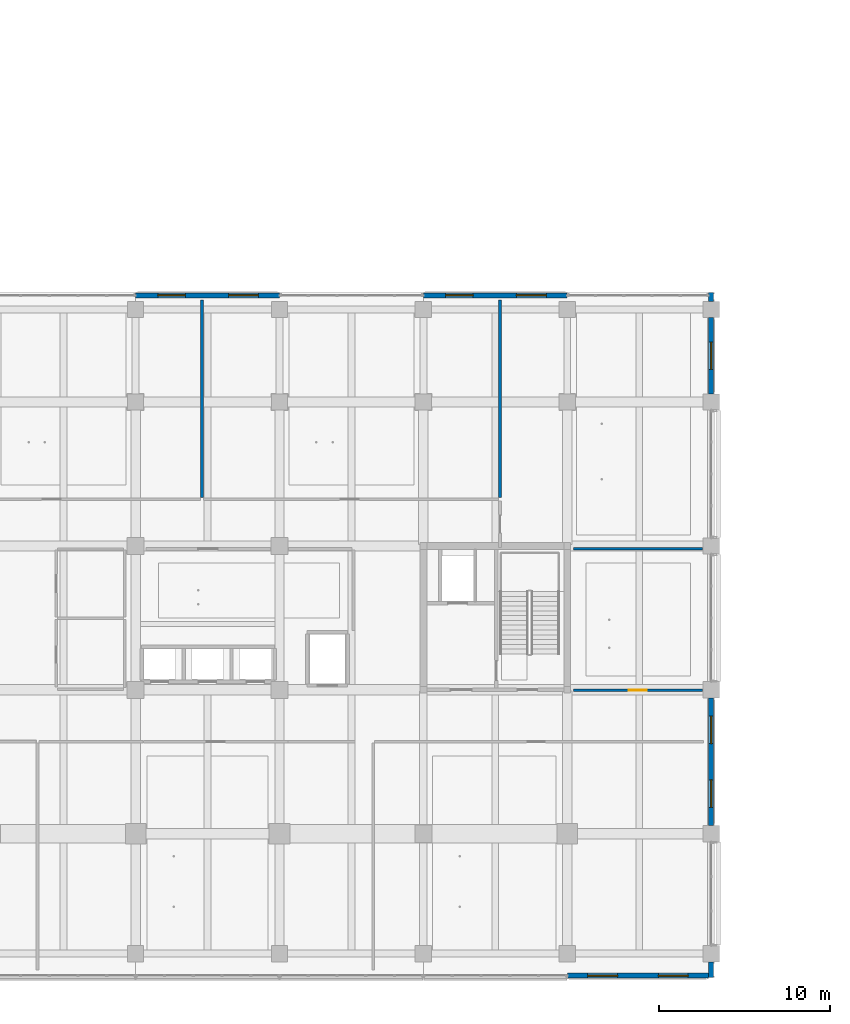
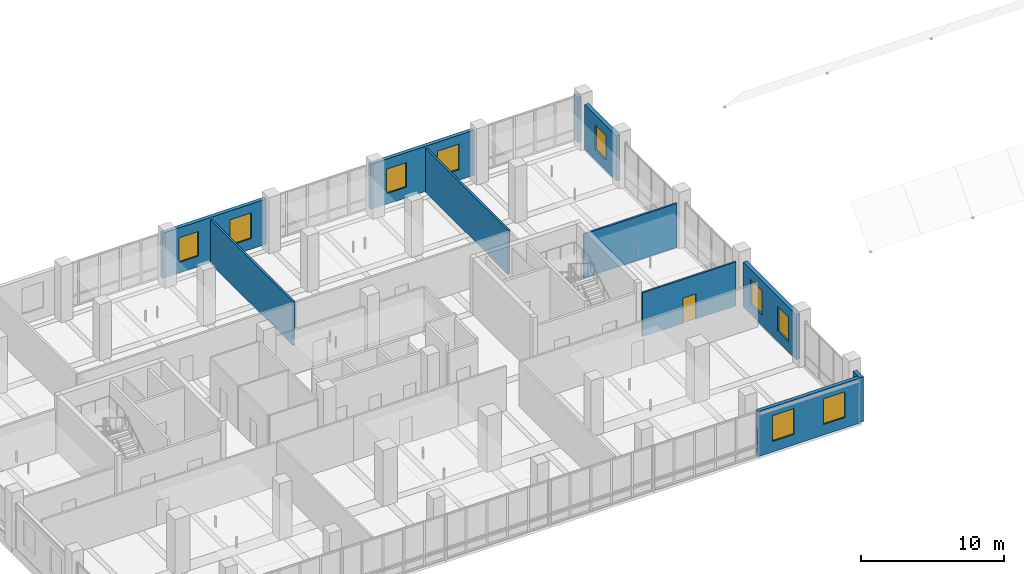
# One storey, part 57 of 122: 11 walls, 9 windows, 1 door, 10 openings.
"""IFC4 building model written with IfcOpenShell, lengths in metres."""

from ifc_helpers import new_model, si_unit, direction, frame, frame_2d, origin, place, context, subcontext, project, spatial, rectangle, extrude, material, layer, layer_set, type_object, element, fill, save


model = new_model("IFC4")

# Units and contexts
model_context = context("Model", 3, precision=1e-05, world=origin(), true_north=direction((0.0, 1.0)))
body_context = subcontext(model_context, "Body", "Model", "MODEL_VIEW")
ifc_project = project(units=[si_unit("LENGTHUNIT", "METRE"), si_unit("AREAUNIT", "SQUARE_METRE"), si_unit("VOLUMEUNIT", "CUBIC_METRE"), si_unit("PLANEANGLEUNIT", "RADIAN"), si_unit("MASSUNIT", "GRAM", prefix="KILO")], contexts=[model_context])

# Site, building, storey
site_placement = place(None, origin())
site = spatial("IfcSite", under=ifc_project, at=site_placement, CompositionType="ELEMENT")
building_placement = place(site_placement, origin())
building = spatial("IfcBuilding", under=site, at=building_placement, Name="Telukmera Botanical Conservatory", CompositionType="ELEMENT")
storey_placement = place(building_placement, frame((0.0, 0.0, 10.199951171875)))
storey = spatial("IfcBuildingStorey", under=building, at=storey_placement, Name="L02", CompositionType="ELEMENT", Elevation=10.199951171875)

# Walls
ifc_material_1 = material(Name="Terracotta-faced precast concrete C40/50", Category="masonry")
ifc_layer_1 = layer(ifc_material_1, 0.300048828125)
ifc_layer_set_1 = layer_set([ifc_layer_1], Name="Terracotta-faced precast concrete C40/50")
wall_type_1 = type_object("IfcWallType", Name="Exterior Polychrome Terracotta Precast Wall 300", PredefinedType="SOLIDWALL", material=ifc_layer_set_1)
wall_1_placement = place(storey_placement, frame((109.199951171875, 9.199951171875, 0.0), z_axis=(0.0, 0.0, 1.0), x_axis=(0.0, 1.0, 0.0)))
element("IfcWall", 1, at=wall_1_placement, inside=storey, type_object=wall_type_1, Name="Exterior Precast Wall EW02 V4:L02:SEC", PredefinedType="SOLIDWALL", context=body_context, shape_type="SweptSolid", body=[
    extrude(rectangle(XDim=0.923095703125, YDim=0.300048828125, at=frame_2d((0.46142578125, 0.0))), origin(), (0.0, 0.0, 1.0), 3.85009765625),
])
wall_2_placement = place(storey_placement, frame((109.199951171875, 48.677001953125, 0.0), z_axis=(0.0, 0.0, 1.0), x_axis=(0.0, 1.0, 0.0)))
element("IfcWall", 2, at=wall_2_placement, inside=storey, type_object=wall_type_1, Name="Exterior Precast Wall EW02 V4:L02:NEC", PredefinedType="SOLIDWALL", context=body_context, shape_type="SweptSolid", body=[
    extrude(rectangle(XDim=0.52294921875, YDim=0.300048828125, at=frame_2d((0.261474609375, 0.0))), origin(), (0.0, 0.0, 1.0), 3.85009765625),
])

# Wall, openings, windows
wall_3_placement = place(storey_placement, frame((100.802001953125, 9.320068359375, 0.0), z_axis=(0.0, 0.0, 1.0), x_axis=(1.0, 0.0, 0.0)))
wall_3 = element("IfcWall", 3, at=wall_3_placement, inside=storey, type_object=wall_type_1, Name="Exterior Precast Wall EW02 V4:L02:S7", PredefinedType="SOLIDWALL", context=body_context, shape_type="SweptSolid", body=[
    extrude(rectangle(XDim=8.24609375, YDim=0.300048828125, at=frame_2d((4.123046875, 0.0))), origin(), (0.0, 0.0, 1.0), 3.85009765625),
])
opening_1_placement = place(wall_3_placement, frame((1.1865234375, 0.0, 0.89990234375)))
opening_1 = element("IfcOpeningElement", 4, at=opening_1_placement, cuts=wall_3, Name="Opening W08", PredefinedType="OPENING", context=body_context, shape_type="SweptSolid", body=[
    extrude(rectangle(XDim=1.75, YDim=2.199951171875, at=frame_2d((0.875, 1.10009765625))), frame((0.0, 0.159912109375, 0.0), z_axis=(0.0, -1.0, 0.0), x_axis=(1.0, 0.0, 0.0)), (0.0, 0.0, 1.0), 0.320068359375),
])
opening_2_placement = place(wall_3_placement, frame((5.3095703125, 0.0, 0.89990234375)))
opening_2 = element("IfcOpeningElement", 5, at=opening_2_placement, cuts=wall_3, Name="Opening W08", PredefinedType="OPENING", context=body_context, shape_type="SweptSolid", body=[
    extrude(rectangle(XDim=1.75, YDim=2.199951171875, at=frame_2d((0.875, 1.10009765625))), frame((0.0, 0.159912109375, 0.0), z_axis=(0.0, -1.0, 0.0), x_axis=(1.0, 0.0, 0.0)), (0.0, 0.0, 1.0), 0.320068359375),
])
ifc_material_2 = material(Name="Thermally broken anodised aluminium frame with low-E double glazing", Category="aluminium")
window_type_1 = type_object("IfcWindowType", Name="Double Vertical Library Reading Window 1750x2200", PartitioningType="DOUBLE_PANEL_VERTICAL", PredefinedType="WINDOW", material=ifc_material_2)
window_1_placement = place(opening_1_placement, origin())
window_1 = element("IfcWindow", 6, at=window_1_placement, inside=storey, type_object=window_type_1, Name="Facade Window W08 V4:L02:S7 1", OverallHeight=2.199951171875, OverallWidth=1.75, PartitioningType="DOUBLE_PANEL_VERTICAL", PredefinedType="WINDOW", context=body_context, shape_type="SweptSolid", body=[
    extrude(rectangle(XDim=1.75, YDim=2.199951171875, at=frame_2d((0.875, 1.10009765625))), frame((0.0, 0.030029296875, 0.0), z_axis=(0.0, -1.0, 0.0), x_axis=(1.0, 0.0, 0.0)), (0.0, 0.0, 1.0), 0.06005859375),
])
fill(opening_1, window_1)
window_2_placement = place(opening_2_placement, origin())
window_2 = element("IfcWindow", 7, at=window_2_placement, inside=storey, type_object=window_type_1, Name="Facade Window W08 V4:L02:S7 2", OverallHeight=2.199951171875, OverallWidth=1.75, PartitioningType="DOUBLE_PANEL_VERTICAL", PredefinedType="WINDOW", context=body_context, shape_type="SweptSolid", body=[
    extrude(rectangle(XDim=1.75, YDim=2.199951171875, at=frame_2d((0.875, 1.10009765625))), frame((0.0, 0.030029296875, 0.0), z_axis=(0.0, -1.0, 0.0), x_axis=(1.0, 0.0, 0.0)), (0.0, 0.0, 1.0), 0.06005859375),
])
fill(opening_2, window_2)

wall_4_placement = place(storey_placement, frame((75.60205078125, 49.02001953125, 0.0), z_axis=(0.0, 0.0, 1.0), x_axis=(1.0, 0.0, 0.0)))
wall_4 = element("IfcWall", 8, at=wall_4_placement, inside=storey, type_object=wall_type_1, Name="Exterior Precast Wall EW02 V4:L02:N4", PredefinedType="SOLIDWALL", context=body_context, shape_type="SweptSolid", body=[
    extrude(rectangle(XDim=8.39599609375, YDim=0.300048828125, at=frame_2d((4.197998046875, 0.0))), origin(), (0.0, 0.0, 1.0), 3.85009765625),
])
opening_3_placement = place(wall_4_placement, frame((1.299072265625, 0.0, 0.89990234375)))
opening_3 = element("IfcOpeningElement", 9, at=opening_3_placement, cuts=wall_4, Name="Opening W07", PredefinedType="OPENING", context=body_context, shape_type="SweptSolid", body=[
    extrude(rectangle(XDim=1.60009765625, YDim=2.10009765625, at=frame_2d((0.800048828125, 1.050048828125))), frame((0.0, 0.159912109375, 0.0), z_axis=(0.0, -1.0, 0.0), x_axis=(1.0, 0.0, 0.0)), (0.0, 0.0, 1.0), 0.320068359375),
])
opening_4_placement = place(wall_4_placement, frame((5.422119140625, 0.0, 0.89990234375)))
opening_4 = element("IfcOpeningElement", 10, at=opening_4_placement, cuts=wall_4, Name="Opening W08", PredefinedType="OPENING", context=body_context, shape_type="SweptSolid", body=[
    extrude(rectangle(XDim=1.75, YDim=2.199951171875, at=frame_2d((0.875, 1.10009765625))), frame((0.0, 0.159912109375, 0.0), z_axis=(0.0, -1.0, 0.0), x_axis=(1.0, 0.0, 0.0)), (0.0, 0.0, 1.0), 0.320068359375),
])
window_type_2 = type_object("IfcWindowType", Name="Double Vertical Curation Study Window 1600x2100", PartitioningType="DOUBLE_PANEL_VERTICAL", PredefinedType="WINDOW", material=ifc_material_2)
window_3_placement = place(opening_3_placement, origin())
window_3 = element("IfcWindow", 11, at=window_3_placement, inside=storey, type_object=window_type_2, Name="Facade Window W07 V4:L02:N4 1", OverallHeight=2.10009765625, OverallWidth=1.60009765625, PartitioningType="DOUBLE_PANEL_VERTICAL", PredefinedType="WINDOW", context=body_context, shape_type="SweptSolid", body=[
    extrude(rectangle(XDim=1.60009765625, YDim=2.10009765625, at=frame_2d((0.800048828125, 1.050048828125))), frame((0.0, 0.030029296875, 0.0), z_axis=(0.0, -1.0, 0.0), x_axis=(1.0, 0.0, 0.0)), (0.0, 0.0, 1.0), 0.06005859375),
])
fill(opening_3, window_3)
window_4_placement = place(opening_4_placement, origin())
window_4 = element("IfcWindow", 12, at=window_4_placement, inside=storey, type_object=window_type_1, Name="Facade Window W08 V4:L02:N4 2", OverallHeight=2.199951171875, OverallWidth=1.75, PartitioningType="DOUBLE_PANEL_VERTICAL", PredefinedType="WINDOW", context=body_context, shape_type="SweptSolid", body=[
    extrude(rectangle(XDim=1.75, YDim=2.199951171875, at=frame_2d((0.875, 1.10009765625))), frame((0.0, 0.030029296875, 0.0), z_axis=(0.0, -1.0, 0.0), x_axis=(1.0, 0.0, 0.0)), (0.0, 0.0, 1.0), 0.06005859375),
])
fill(opening_4, window_4)

wall_5_placement = place(storey_placement, frame((92.402099609375, 49.02001953125, 0.0), z_axis=(0.0, 0.0, 1.0), x_axis=(1.0, 0.0, 0.0)))
wall_5 = element("IfcWall", 13, at=wall_5_placement, inside=storey, type_object=wall_type_1, Name="Exterior Precast Wall EW02 V4:L02:N6", PredefinedType="SOLIDWALL", context=body_context, shape_type="SweptSolid", body=[
    extrude(rectangle(XDim=8.39599609375, YDim=0.300048828125, at=frame_2d((4.197998046875, 0.0))), origin(), (0.0, 0.0, 1.0), 3.85009765625),
])
opening_5_placement = place(wall_5_placement, frame((1.299072265625, 0.0, 0.89990234375)))
opening_5 = element("IfcOpeningElement", 14, at=opening_5_placement, cuts=wall_5, Name="Opening W07", PredefinedType="OPENING", context=body_context, shape_type="SweptSolid", body=[
    extrude(rectangle(XDim=1.60009765625, YDim=2.10009765625, at=frame_2d((0.800048828125, 1.050048828125))), frame((0.0, 0.159912109375, 0.0), z_axis=(0.0, -1.0, 0.0), x_axis=(1.0, 0.0, 0.0)), (0.0, 0.0, 1.0), 0.320068359375),
])
opening_6_placement = place(wall_5_placement, frame((5.422119140625, 0.0, 0.89990234375)))
opening_6 = element("IfcOpeningElement", 15, at=opening_6_placement, cuts=wall_5, Name="Opening W08", PredefinedType="OPENING", context=body_context, shape_type="SweptSolid", body=[
    extrude(rectangle(XDim=1.75, YDim=2.199951171875, at=frame_2d((0.875, 1.10009765625))), frame((0.0, 0.159912109375, 0.0), z_axis=(0.0, -1.0, 0.0), x_axis=(1.0, 0.0, 0.0)), (0.0, 0.0, 1.0), 0.320068359375),
])
window_5_placement = place(opening_5_placement, origin())
window_5 = element("IfcWindow", 16, at=window_5_placement, inside=storey, type_object=window_type_2, Name="Facade Window W07 V4:L02:N6 1", OverallHeight=2.10009765625, OverallWidth=1.60009765625, PartitioningType="DOUBLE_PANEL_VERTICAL", PredefinedType="WINDOW", context=body_context, shape_type="SweptSolid", body=[
    extrude(rectangle(XDim=1.60009765625, YDim=2.10009765625, at=frame_2d((0.800048828125, 1.050048828125))), frame((0.0, 0.030029296875, 0.0), z_axis=(0.0, -1.0, 0.0), x_axis=(1.0, 0.0, 0.0)), (0.0, 0.0, 1.0), 0.06005859375),
])
fill(opening_5, window_5)
window_6_placement = place(opening_6_placement, origin())
window_6 = element("IfcWindow", 17, at=window_6_placement, inside=storey, type_object=window_type_1, Name="Facade Window W08 V4:L02:N6 2", OverallHeight=2.199951171875, OverallWidth=1.75, PartitioningType="DOUBLE_PANEL_VERTICAL", PredefinedType="WINDOW", context=body_context, shape_type="SweptSolid", body=[
    extrude(rectangle(XDim=1.75, YDim=2.199951171875, at=frame_2d((0.875, 1.10009765625))), frame((0.0, 0.030029296875, 0.0), z_axis=(0.0, -1.0, 0.0), x_axis=(1.0, 0.0, 0.0)), (0.0, 0.0, 1.0), 0.06005859375),
])
fill(opening_6, window_6)

wall_6_placement = place(storey_placement, frame((109.199951171875, 18.076904296875, 0.0), z_axis=(0.0, 0.0, 1.0), x_axis=(0.0, 1.0, 0.0)))
wall_6 = element("IfcWall", 18, at=wall_6_placement, inside=storey, type_object=wall_type_1, Name="Exterior Precast Wall EW02 V4:L02:E2", PredefinedType="SOLIDWALL", context=body_context, shape_type="SweptSolid", body=[
    extrude(rectangle(XDim=7.446044921875, YDim=0.300048828125, at=frame_2d((3.72314453125, 0.0))), origin(), (0.0, 0.0, 1.0), 3.85009765625),
])
opening_7_placement = place(wall_6_placement, frame((1.0615234375, 0.0, 0.89990234375)))
opening_7 = element("IfcOpeningElement", 19, at=opening_7_placement, cuts=wall_6, Name="Opening W07", PredefinedType="OPENING", context=body_context, shape_type="SweptSolid", body=[
    extrude(rectangle(XDim=1.60009765625, YDim=2.10009765625, at=frame_2d((0.800048828125, 1.050048828125))), frame((0.0, 0.159912109375, 0.0), z_axis=(0.0, -1.0, 0.0), x_axis=(1.0, 0.0, 0.0)), (0.0, 0.0, 1.0), 0.320068359375),
])
opening_8_placement = place(wall_6_placement, frame((4.784423828125, 0.0, 0.89990234375)))
opening_8 = element("IfcOpeningElement", 20, at=opening_8_placement, cuts=wall_6, Name="Opening W07", PredefinedType="OPENING", context=body_context, shape_type="SweptSolid", body=[
    extrude(rectangle(XDim=1.60009765625, YDim=2.10009765625, at=frame_2d((0.800048828125, 1.050048828125))), frame((0.0, 0.159912109375, 0.0), z_axis=(0.0, -1.0, 0.0), x_axis=(1.0, 0.0, 0.0)), (0.0, 0.0, 1.0), 0.320068359375),
])
window_7_placement = place(opening_7_placement, origin())
window_7 = element("IfcWindow", 21, at=window_7_placement, inside=storey, type_object=window_type_2, Name="Facade Window W07 V4:L02:E2 1", OverallHeight=2.10009765625, OverallWidth=1.60009765625, PartitioningType="DOUBLE_PANEL_VERTICAL", PredefinedType="WINDOW", context=body_context, shape_type="SweptSolid", body=[
    extrude(rectangle(XDim=1.60009765625, YDim=2.10009765625, at=frame_2d((0.800048828125, 1.050048828125))), frame((0.0, 0.030029296875, 0.0), z_axis=(0.0, -1.0, 0.0), x_axis=(1.0, 0.0, 0.0)), (0.0, 0.0, 1.0), 0.06005859375),
])
fill(opening_7, window_7)
window_8_placement = place(opening_8_placement, origin())
window_8 = element("IfcWindow", 22, at=window_8_placement, inside=storey, type_object=window_type_2, Name="Facade Window W07 V4:L02:E2 2", OverallHeight=2.10009765625, OverallWidth=1.60009765625, PartitioningType="DOUBLE_PANEL_VERTICAL", PredefinedType="WINDOW", context=body_context, shape_type="SweptSolid", body=[
    extrude(rectangle(XDim=1.60009765625, YDim=2.10009765625, at=frame_2d((0.800048828125, 1.050048828125))), frame((0.0, 0.030029296875, 0.0), z_axis=(0.0, -1.0, 0.0), x_axis=(1.0, 0.0, 0.0)), (0.0, 0.0, 1.0), 0.06005859375),
])
fill(opening_8, window_8)

# Wall, opening, window
wall_7_placement = place(storey_placement, frame((109.199951171875, 43.277099609375, 0.0), z_axis=(0.0, 0.0, 1.0), x_axis=(0.0, 1.0, 0.0)))
wall_7 = element("IfcWall", 23, at=wall_7_placement, inside=storey, type_object=wall_type_1, Name="Exterior Precast Wall EW02 V4:L02:E5", PredefinedType="SOLIDWALL", context=body_context, shape_type="SweptSolid", body=[
    extrude(rectangle(XDim=4.44580078125, YDim=0.300048828125, at=frame_2d((2.222900390625, 0.0))), origin(), (0.0, 0.0, 1.0), 3.85009765625),
])
opening_9_placement = place(wall_7_placement, frame((1.423095703125, 0.0, 0.89990234375)))
opening_9 = element("IfcOpeningElement", 24, at=opening_9_placement, cuts=wall_7, Name="Opening W07", PredefinedType="OPENING", context=body_context, shape_type="SweptSolid", body=[
    extrude(rectangle(XDim=1.60009765625, YDim=2.10009765625, at=frame_2d((0.800048828125, 1.050048828125))), frame((0.0, 0.159912109375, 0.0), z_axis=(0.0, -1.0, 0.0), x_axis=(1.0, 0.0, 0.0)), (0.0, 0.0, 1.0), 0.320068359375),
])
window_9_placement = place(opening_9_placement, origin())
window_9 = element("IfcWindow", 25, at=window_9_placement, inside=storey, type_object=window_type_2, Name="Facade Window W07 V4:L02:E5", OverallHeight=2.10009765625, OverallWidth=1.60009765625, PartitioningType="DOUBLE_PANEL_VERTICAL", PredefinedType="WINDOW", context=body_context, shape_type="SweptSolid", body=[
    extrude(rectangle(XDim=1.60009765625, YDim=2.10009765625, at=frame_2d((0.800048828125, 1.050048828125))), frame((0.0, 0.030029296875, 0.0), z_axis=(0.0, -1.0, 0.0), x_axis=(1.0, 0.0, 0.0)), (0.0, 0.0, 1.0), 0.06005859375),
])
fill(opening_9, window_9)

# Walls
ifc_material_3 = material(Name="Gypsum acoustic stud partition")
ifc_layer_2 = layer(ifc_material_3, 0.159912109375)
ifc_layer_set_2 = layer_set([ifc_layer_2], Name="Gypsum acoustic stud partition")
wall_type_2 = type_object("IfcWallType", Name="WT-LAB-160", PredefinedType="PARTITIONING", material=ifc_layer_set_2)
for number, where, z_axis, x_axis, name in (
    (26, (79.47509765625, 37.215087890625, 0.0), (0.0, 0.0, 1.0), (0.0, 1.0, 0.0), "L02 Interior Partition 45"),
    (27, (96.875, 37.215087890625, 0.0), (0.0, 0.0, 1.0), (0.0, 1.0, 0.0), "L02 Interior Partition 46"),
):
    element("IfcWall", number, at=place(storey_placement, frame(where, z_axis=z_axis, x_axis=x_axis)), inside=storey, type_object=wall_type_2, Name=name, PredefinedType="PARTITIONING", context=body_context, shape_type="SweptSolid", body=[
        extrude(rectangle(XDim=11.534912109375, YDim=0.159912109375, at=frame_2d((5.767578125, 0.0))), origin(), (0.0, 0.0, 1.0), 3.75),
    ])

# Wall, opening, door
ifc_layer_3 = layer(ifc_material_3, 0.14990234375)
ifc_layer_set_3 = layer_set([ifc_layer_3], Name="Gypsum acoustic stud partition")
wall_type_3 = type_object("IfcWallType", Name="WT-STD-150", PredefinedType="PARTITIONING", material=ifc_layer_set_3)
wall_8_placement = place(storey_placement, frame((101.14990234375, 25.97509765625, 0.0), z_axis=(0.0, 0.0, 1.0), x_axis=(1.0, 0.0, 0.0)))
wall_8 = element("IfcWall", 28, at=wall_8_placement, inside=storey, type_object=wall_type_3, Name="L02 Interior Partition 31", PredefinedType="PARTITIONING", context=body_context, shape_type="SweptSolid", body=[
    extrude(rectangle(XDim=7.545166015625, YDim=0.14990234375, at=frame_2d((3.7724609375, 0.0))), origin(), (0.0, 0.0, 1.0), 3.75),
])
opening_10_placement = place(wall_8_placement, frame((3.25244140625, 0.0, 0.0)))
opening_10 = element("IfcOpeningElement", 29, at=opening_10_placement, cuts=wall_8, Name="Opening ID13", PredefinedType="OPENING", context=body_context, shape_type="SweptSolid", body=[
    extrude(rectangle(XDim=1.0400390625, YDim=2.14990234375, at=frame_2d((0.52001953125, 1.074951171875))), frame((0.0, 0.0849609375, 0.0), z_axis=(0.0, -1.0, 0.0), x_axis=(1.0, 0.0, 0.0)), (0.0, 0.0, 1.0), 0.169921875),
])
ifc_material_4 = material(Name="Hardwood curation studio door", Category="wood")
door_type = type_object("IfcDoorType", Name="DT-CUR-104", OperationType="NOTDEFINED", PredefinedType="DOOR", material=ifc_material_4)
door_placement = place(opening_10_placement, origin())
door = element("IfcDoor", 30, at=door_placement, inside=storey, type_object=door_type, Name="L02 Herbarium Digitization Studio Door", OperationType="SINGLE_SWING_LEFT", OverallHeight=2.14990234375, OverallWidth=1.0400390625, PredefinedType="DOOR", context=body_context, shape_type="SweptSolid", body=[
    extrude(rectangle(XDim=1.0400390625, YDim=2.14990234375, at=frame_2d((0.52001953125, 1.074951171875))), frame((0.0, 0.02490234375, 0.0), z_axis=(0.0, -1.0, 0.0), x_axis=(1.0, 0.0, 0.0)), (0.0, 0.0, 1.0), 0.050048828125),
])
fill(opening_10, door)

# Wall
wall_9_placement = place(storey_placement, frame((101.14990234375, 34.22509765625, 0.0), z_axis=(0.0, 0.0, 1.0), x_axis=(1.0, 0.0, 0.0)))
element("IfcWall", 31, at=wall_9_placement, inside=storey, type_object=wall_type_3, Name="L02 Interior Partition 32", PredefinedType="PARTITIONING", context=body_context, shape_type="SweptSolid", body=[
    extrude(rectangle(XDim=7.545166015625, YDim=0.14990234375, at=frame_2d((3.7724609375, 0.0))), origin(), (0.0, 0.0, 1.0), 3.75),
])

save(model, "model.ifc")
